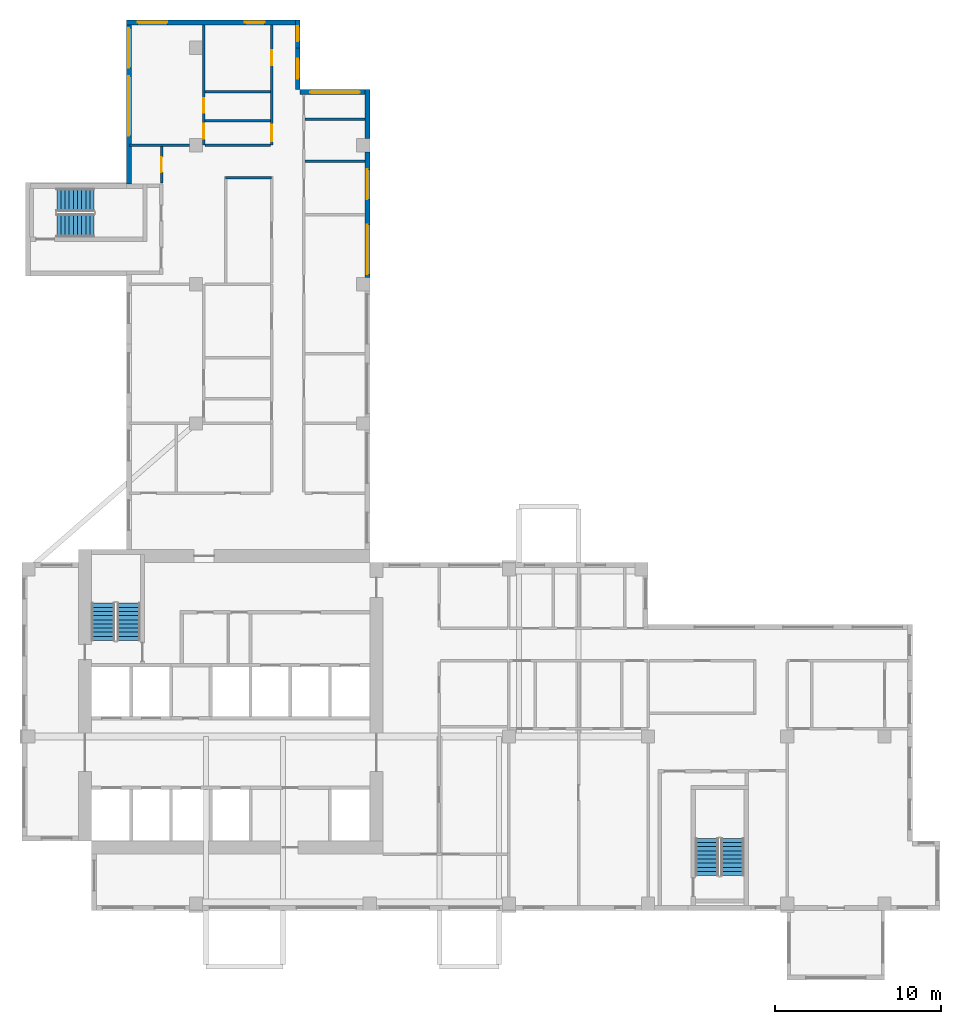
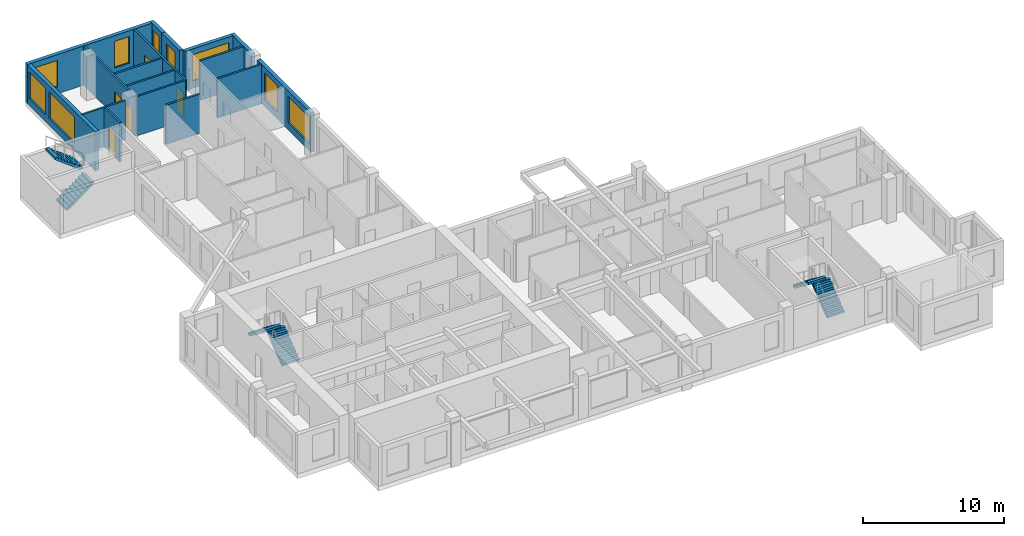
# One storey, part 7 of 11: 17 walls, 9 windows, 6 stair flights, 5 doors, 14 openings, 3 elements without a shape of their own.
"""IFC4 building model written with IfcOpenShell, lengths in metres."""

from ifc_helpers import new_model, si_unit, direction, frame, frame_2d, origin, place, context, subcontext, project, spatial, polyline, rectangle, outline, extrude, source, transform, mapped, material, layer, layer_set, type_object, element, fill, aggregate, save


model = new_model("IFC4")

# Units and contexts
model_context = context("Model", 3, precision=1e-05, world=origin(), true_north=direction((0.0, 1.0)))
body_context = subcontext(model_context, "Body", "Model", "MODEL_VIEW")
ifc_project = project(units=[si_unit("LENGTHUNIT", "METRE"), si_unit("AREAUNIT", "SQUARE_METRE"), si_unit("VOLUMEUNIT", "CUBIC_METRE"), si_unit("PLANEANGLEUNIT", "RADIAN"), si_unit("MASSUNIT", "GRAM", prefix="KILO")], contexts=[model_context])

# Site, building, storey
site_placement = place(None, origin())
site = spatial("IfcSite", under=ifc_project, at=site_placement, CompositionType="ELEMENT")
building_placement = place(site_placement, origin())
building = spatial("IfcBuilding", under=site, at=building_placement, Name="Aurelian Terraces", CompositionType="ELEMENT")
storey_placement = place(building_placement, frame((0.0, 0.0, 227.2)))
storey = spatial("IfcBuildingStorey", under=building, at=storey_placement, Name="L51", CompositionType="ELEMENT", Elevation=227.2)

# Wall, opening, window
ifc_material_1 = material(Name="Terracotta rainscreen cladding", Category="masonry")
ifc_layer_1 = layer(ifc_material_1, 0.3)
ifc_layer_set_1 = layer_set([ifc_layer_1], Name="EW-300")
wall_type_1 = type_object("IfcWallType", Name="EW-300", PredefinedType="STANDARD", material=ifc_layer_set_1)
shared_shape_1 = source(origin(), body_context, "Body", "SweptSolid", [
    extrude(rectangle(XDim=4.2, YDim=0.3, at=frame_2d((2.1, 0.0))), origin(), (0.0, 0.0, 1.0), 3.4),
])
wall_1_placement = place(storey_placement, frame((21.0, 49.41, 0.0), z_axis=(0.0, 0.0, 1.0), x_axis=(-1.0, 0.0, 0.0)))
wall_1 = element("IfcWall", 1, at=wall_1_placement, inside=storey, type_object=wall_type_1, Name="External wall L51 F09.21", PredefinedType="STANDARD", context=body_context, shape_type="MappedRepresentation", body=[
    mapped(shared_shape_1, transform((0.0, 0.0, 0.0), scale=1.0)),
])
shared_shape_2 = source(origin(), body_context, "Body", "SweptSolid", [
    extrude(rectangle(XDim=3.0, YDim=2.3, at=frame_2d((1.5, 1.15))), frame((0.0, 0.16, 0.0), z_axis=(0.0, -1.0, 0.0), x_axis=(1.0, 0.0, 0.0)), (0.0, 0.0, 1.0), 0.32),
])
opening_1_placement = place(wall_1_placement, frame((0.6, 0.0, 0.6)))
opening_1 = element("IfcOpeningElement", 2, at=opening_1_placement, cuts=wall_1, Name="Opening W3023", PredefinedType="OPENING", context=body_context, shape_type="MappedRepresentation", body=[
    mapped(shared_shape_2, transform((0.0, 0.0, 0.0), scale=1.0)),
])
ifc_material_2 = material(Name="Clear glazing", Category="glass")
window_type_1 = type_object("IfcWindowType", Name="W-3000x2300", PartitioningType="SINGLE_PANEL", PredefinedType="WINDOW", material=ifc_material_2)
shared_shape_3 = source(origin(), body_context, "Body", "SweptSolid", [
    extrude(rectangle(XDim=3.0, YDim=2.3, at=frame_2d((1.5, 1.15))), frame((0.0, 0.03, 0.0), z_axis=(0.0, -1.0, 0.0), x_axis=(1.0, 0.0, 0.0)), (0.0, 0.0, 1.0), 0.06),
])
window_1_placement = place(opening_1_placement, origin())
window_1 = element("IfcWindow", 3, at=window_1_placement, inside=storey, type_object=window_type_1, Name="Window L51 L51-F09-21-0", OverallHeight=2.3, OverallWidth=3.0, PartitioningType="SINGLE_PANEL", PredefinedType="WINDOW", context=body_context, shape_type="MappedRepresentation", body=[
    mapped(shared_shape_3, transform((0.0, 0.0, 0.0), scale=1.0)),
])
fill(opening_1, window_1)

shared_shape_4 = source(origin(), body_context, "Body", "SweptSolid", [
    extrude(rectangle(XDim=2.52, YDim=0.3, at=frame_2d((1.26, 0.0))), origin(), (0.0, 0.0, 1.0), 3.4),
])
wall_2_placement = place(storey_placement, frame((16.65, 49.56, 0.0), z_axis=(0.0, 0.0, 1.0), x_axis=(0.0, 1.0, 0.0)))
wall_2 = element("IfcWall", 4, at=wall_2_placement, inside=storey, type_object=wall_type_1, Name="External wall L51 F10.22", PredefinedType="STANDARD", context=body_context, shape_type="MappedRepresentation", body=[
    mapped(shared_shape_4, transform((0.0, 0.0, 0.0), scale=1.0)),
])
shared_shape_5 = source(origin(), body_context, "Body", "SweptSolid", [
    extrude(rectangle(XDim=1.2, YDim=2.3, at=frame_2d((0.6, 1.15))), frame((0.0, 0.16, 0.0), z_axis=(0.0, -1.0, 0.0), x_axis=(1.0, 0.0, 0.0)), (0.0, 0.0, 1.0), 0.32),
])
opening_2_placement = place(wall_2_placement, frame((0.66, 0.0, 0.6)))
opening_2 = element("IfcOpeningElement", 5, at=opening_2_placement, cuts=wall_2, Name="Opening W1223", PredefinedType="OPENING", context=body_context, shape_type="MappedRepresentation", body=[
    mapped(shared_shape_5, transform((0.0, 0.0, 0.0), scale=1.0)),
])
window_type_2 = type_object("IfcWindowType", Name="W-1200x2300", PartitioningType="SINGLE_PANEL", PredefinedType="WINDOW", material=ifc_material_2)
shared_shape_6 = source(origin(), body_context, "Body", "SweptSolid", [
    extrude(rectangle(XDim=1.2, YDim=2.3, at=frame_2d((0.6, 1.15))), frame((0.0, 0.03, 0.0), z_axis=(0.0, -1.0, 0.0), x_axis=(1.0, 0.0, 0.0)), (0.0, 0.0, 1.0), 0.06),
])
window_2_placement = place(opening_2_placement, origin())
window_2 = element("IfcWindow", 6, at=window_2_placement, inside=storey, type_object=window_type_2, Name="Window L51 L51-F10-22-0", OverallHeight=2.3, OverallWidth=1.2, PartitioningType="SINGLE_PANEL", PredefinedType="WINDOW", context=body_context, shape_type="MappedRepresentation", body=[
    mapped(shared_shape_6, transform((0.0, 0.0, 0.0), scale=1.0)),
])
fill(opening_2, window_2)

shared_shape_7 = source(origin(), body_context, "Body", "SweptSolid", [
    extrude(rectangle(XDim=1.68, YDim=0.3, at=frame_2d((0.84, 0.0))), origin(), (0.0, 0.0, 1.0), 3.4),
])
wall_3_placement = place(storey_placement, frame((16.65, 52.08, 0.0), z_axis=(0.0, 0.0, 1.0), x_axis=(0.0, 1.0, 0.0)))
wall_3 = element("IfcWall", 7, at=wall_3_placement, inside=storey, type_object=wall_type_1, Name="External wall L51 F10.23", PredefinedType="STANDARD", context=body_context, shape_type="MappedRepresentation", body=[
    mapped(shared_shape_7, transform((0.0, 0.0, 0.0), scale=1.0)),
])
shared_shape_8 = source(origin(), body_context, "Body", "SweptSolid", [
    extrude(rectangle(XDim=0.9, YDim=2.3, at=frame_2d((0.45, 1.15))), frame((0.0, 0.16, 0.0), z_axis=(0.0, -1.0, 0.0), x_axis=(1.0, 0.0, 0.0)), (0.0, 0.0, 1.0), 0.32),
])
opening_3_placement = place(wall_3_placement, frame((0.39, 0.0, 0.6)))
opening_3 = element("IfcOpeningElement", 8, at=opening_3_placement, cuts=wall_3, Name="Opening W0923", PredefinedType="OPENING", context=body_context, shape_type="MappedRepresentation", body=[
    mapped(shared_shape_8, transform((0.0, 0.0, 0.0), scale=1.0)),
])
window_type_3 = type_object("IfcWindowType", Name="W-900x2300", PartitioningType="SINGLE_PANEL", PredefinedType="WINDOW", material=ifc_material_2)
shared_shape_9 = source(origin(), body_context, "Body", "SweptSolid", [
    extrude(rectangle(XDim=0.9, YDim=2.3, at=frame_2d((0.45, 1.15))), frame((0.0, 0.03, 0.0), z_axis=(0.0, -1.0, 0.0), x_axis=(1.0, 0.0, 0.0)), (0.0, 0.0, 1.0), 0.06),
])
window_3_placement = place(opening_3_placement, origin())
window_3 = element("IfcWindow", 9, at=window_3_placement, inside=storey, type_object=window_type_3, Name="Window L51 L51-F10-23-P0", OverallHeight=2.3, OverallWidth=0.9, PartitioningType="SINGLE_PANEL", PredefinedType="WINDOW", context=body_context, shape_type="MappedRepresentation", body=[
    mapped(shared_shape_9, transform((0.0, 0.0, 0.0), scale=1.0)),
])
fill(opening_3, window_3)

# Wall, openings, windows
shared_shape_10 = source(origin(), body_context, "Body", "SweptSolid", [
    extrude(rectangle(XDim=10.5, YDim=0.3, at=frame_2d((5.25, 0.0))), origin(), (0.0, 0.0, 1.0), 3.4),
])
wall_4_placement = place(storey_placement, frame((16.8, 53.61, 0.0), z_axis=(0.0, 0.0, 1.0), x_axis=(-1.0, 0.0, 0.0)))
wall_4 = element("IfcWall", 10, at=wall_4_placement, inside=storey, type_object=wall_type_1, Name="External wall L51 F11.24", PredefinedType="STANDARD", context=body_context, shape_type="MappedRepresentation", body=[
    mapped(shared_shape_10, transform((0.0, 0.0, 0.0), scale=1.0)),
])
opening_4_placement = place(wall_4_placement, frame((2.15, 0.0, 0.6)))
opening_4 = element("IfcOpeningElement", 11, at=opening_4_placement, cuts=wall_4, Name="Opening W1223", PredefinedType="OPENING", context=body_context, shape_type="MappedRepresentation", body=[
    mapped(shared_shape_5, transform((0.0, 0.0, 0.0), scale=1.0)),
])
shared_shape_11 = source(origin(), body_context, "Body", "SweptSolid", [
    extrude(rectangle(XDim=1.8, YDim=2.3, at=frame_2d((0.9, 1.15))), frame((0.0, 0.16, 0.0), z_axis=(0.0, -1.0, 0.0), x_axis=(1.0, 0.0, 0.0)), (0.0, 0.0, 1.0), 0.32),
])
opening_5_placement = place(wall_4_placement, frame((8.025, 0.0, 0.6)))
opening_5 = element("IfcOpeningElement", 12, at=opening_5_placement, cuts=wall_4, Name="Opening W1823", PredefinedType="OPENING", context=body_context, shape_type="MappedRepresentation", body=[
    mapped(shared_shape_11, transform((0.0, 0.0, 0.0), scale=1.0)),
])
window_4_placement = place(opening_4_placement, origin())
window_4 = element("IfcWindow", 13, at=window_4_placement, inside=storey, type_object=window_type_2, Name="Window L51 L51-F11-24-0", OverallHeight=2.3, OverallWidth=1.2, PartitioningType="SINGLE_PANEL", PredefinedType="WINDOW", context=body_context, shape_type="MappedRepresentation", body=[
    mapped(shared_shape_6, transform((0.0, 0.0, 0.0), scale=1.0)),
])
fill(opening_4, window_4)
window_type_4 = type_object("IfcWindowType", Name="W-1800x2300", PartitioningType="SINGLE_PANEL", PredefinedType="WINDOW", material=ifc_material_2)
shared_shape_12 = source(origin(), body_context, "Body", "SweptSolid", [
    extrude(rectangle(XDim=1.8, YDim=2.3, at=frame_2d((0.9, 1.15))), frame((0.0, 0.03, 0.0), z_axis=(0.0, -1.0, 0.0), x_axis=(1.0, 0.0, 0.0)), (0.0, 0.0, 1.0), 0.06),
])
window_5_placement = place(opening_5_placement, origin())
window_5 = element("IfcWindow", 14, at=window_5_placement, inside=storey, type_object=window_type_4, Name="Window L51 L51-F11-24-2", OverallHeight=2.3, OverallWidth=1.8, PartitioningType="SINGLE_PANEL", PredefinedType="WINDOW", context=body_context, shape_type="MappedRepresentation", body=[
    mapped(shared_shape_12, transform((0.0, 0.0, 0.0), scale=1.0)),
])
fill(opening_5, window_5)

shared_shape_13 = source(origin(), body_context, "Body", "SweptSolid", [
    extrude(rectangle(XDim=9.91, YDim=0.3, at=frame_2d((4.955, 0.0))), origin(), (0.0, 0.0, 1.0), 3.4),
])
wall_5_placement = place(storey_placement, frame((6.45, 53.76, 0.0), z_axis=(0.0, 0.0, 1.0), x_axis=(0.0, -1.0, 0.0)))
wall_5 = element("IfcWall", 15, at=wall_5_placement, inside=storey, type_object=wall_type_1, Name="External wall L51 F12.25", PredefinedType="STANDARD", context=body_context, shape_type="MappedRepresentation", body=[
    mapped(shared_shape_13, transform((0.0, 0.0, 0.0), scale=1.0)),
])
shared_shape_14 = source(origin(), body_context, "Body", "SweptSolid", [
    extrude(rectangle(XDim=3.6, YDim=2.3, at=frame_2d((1.8, 1.15))), frame((0.0, 0.16, 0.0), z_axis=(0.0, -1.0, 0.0), x_axis=(1.0, 0.0, 0.0)), (0.0, 0.0, 1.0), 0.32),
])
opening_6_placement = place(wall_5_placement, frame((3.39, 0.0, 0.6)))
opening_6 = element("IfcOpeningElement", 16, at=opening_6_placement, cuts=wall_5, Name="Opening W3623", PredefinedType="OPENING", context=body_context, shape_type="MappedRepresentation", body=[
    mapped(shared_shape_14, transform((0.0, 0.0, 0.0), scale=1.0)),
])
shared_shape_15 = source(origin(), body_context, "Body", "SweptSolid", [
    extrude(rectangle(XDim=2.4, YDim=2.3, at=frame_2d((1.2, 1.15))), frame((0.0, 0.16, 0.0), z_axis=(0.0, -1.0, 0.0), x_axis=(1.0, 0.0, 0.0)), (0.0, 0.0, 1.0), 0.32),
])
opening_7_placement = place(wall_5_placement, frame((0.495, 0.0, 0.6)))
opening_7 = element("IfcOpeningElement", 17, at=opening_7_placement, cuts=wall_5, Name="Opening W2423", PredefinedType="OPENING", context=body_context, shape_type="MappedRepresentation", body=[
    mapped(shared_shape_15, transform((0.0, 0.0, 0.0), scale=1.0)),
])
window_type_5 = type_object("IfcWindowType", Name="W-3600x2300", PartitioningType="SINGLE_PANEL", PredefinedType="WINDOW", material=ifc_material_2)
shared_shape_16 = source(origin(), body_context, "Body", "SweptSolid", [
    extrude(rectangle(XDim=3.6, YDim=2.3, at=frame_2d((1.8, 1.15))), frame((0.0, 0.03, 0.0), z_axis=(0.0, -1.0, 0.0), x_axis=(1.0, 0.0, 0.0)), (0.0, 0.0, 1.0), 0.06),
])
window_6_placement = place(opening_6_placement, origin())
window_6 = element("IfcWindow", 18, at=window_6_placement, inside=storey, type_object=window_type_5, Name="Window L51 L51-F12-25-1", OverallHeight=2.3, OverallWidth=3.6, PartitioningType="SINGLE_PANEL", PredefinedType="WINDOW", context=body_context, shape_type="MappedRepresentation", body=[
    mapped(shared_shape_16, transform((0.0, 0.0, 0.0), scale=1.0)),
])
fill(opening_6, window_6)
window_type_6 = type_object("IfcWindowType", Name="W-2400x2300", PartitioningType="SINGLE_PANEL", PredefinedType="WINDOW", material=ifc_material_2)
shared_shape_17 = source(origin(), body_context, "Body", "SweptSolid", [
    extrude(rectangle(XDim=2.4, YDim=2.3, at=frame_2d((1.2, 1.15))), frame((0.0, 0.03, 0.0), z_axis=(0.0, -1.0, 0.0), x_axis=(1.0, 0.0, 0.0)), (0.0, 0.0, 1.0), 0.06),
])
window_7_placement = place(opening_7_placement, origin())
window_7 = element("IfcWindow", 19, at=window_7_placement, inside=storey, type_object=window_type_6, Name="Window L51 L51-F12-25-G0-0", OverallHeight=2.3, OverallWidth=2.4, PartitioningType="SINGLE_PANEL", PredefinedType="WINDOW", context=body_context, shape_type="MappedRepresentation", body=[
    mapped(shared_shape_17, transform((0.0, 0.0, 0.0), scale=1.0)),
])
fill(opening_7, window_7)

shared_shape_18 = source(origin(), body_context, "Body", "SweptSolid", [
    extrude(rectangle(XDim=7.6, YDim=0.3, at=frame_2d((3.8, 0.0))), origin(), (0.0, 0.0, 1.0), 3.4),
])
wall_6_placement = place(storey_placement, frame((20.85, 38.2, 0.0), z_axis=(0.0, 0.0, 1.0), x_axis=(0.0, 1.0, 0.0)))
wall_6 = element("IfcWall", 20, at=wall_6_placement, inside=storey, type_object=wall_type_1, Name="External wall L51 F08.19", PredefinedType="STANDARD", context=body_context, shape_type="MappedRepresentation", body=[
    mapped(shared_shape_18, transform((0.0, 0.0, 0.0), scale=1.0)),
])
opening_8_placement = place(wall_6_placement, frame((0.2, 0.0, 0.6)))
opening_8 = element("IfcOpeningElement", 21, at=opening_8_placement, cuts=wall_6, Name="Opening W3023", PredefinedType="OPENING", context=body_context, shape_type="MappedRepresentation", body=[
    mapped(shared_shape_2, transform((0.0, 0.0, 0.0), scale=1.0)),
])
opening_9_placement = place(wall_6_placement, frame((4.7345, 0.0, 0.6)))
opening_9 = element("IfcOpeningElement", 22, at=opening_9_placement, cuts=wall_6, Name="Opening W1823", PredefinedType="OPENING", context=body_context, shape_type="MappedRepresentation", body=[
    mapped(shared_shape_11, transform((0.0, 0.0, 0.0), scale=1.0)),
])
window_8_placement = place(opening_8_placement, origin())
window_8 = element("IfcWindow", 23, at=window_8_placement, inside=storey, type_object=window_type_1, Name="Window L51 L51-F08-19-0", OverallHeight=2.3, OverallWidth=3.0, PartitioningType="SINGLE_PANEL", PredefinedType="WINDOW", context=body_context, shape_type="MappedRepresentation", body=[
    mapped(shared_shape_3, transform((0.0, 0.0, 0.0), scale=1.0)),
])
fill(opening_8, window_8)
window_9_placement = place(opening_9_placement, origin())
window_9 = element("IfcWindow", 24, at=window_9_placement, inside=storey, type_object=window_type_4, Name="Window L51 L51-F08-19-1", OverallHeight=2.3, OverallWidth=1.8, PartitioningType="SINGLE_PANEL", PredefinedType="WINDOW", context=body_context, shape_type="MappedRepresentation", body=[
    mapped(shared_shape_12, transform((0.0, 0.0, 0.0), scale=1.0)),
])
fill(opening_9, window_9)

# Walls
shared_shape_19 = source(origin(), body_context, "Body", "SweptSolid", [
    extrude(rectangle(XDim=2.96, YDim=0.3, at=frame_2d((1.48, 0.0))), origin(), (0.0, 0.0, 1.0), 3.4),
])
wall_7_placement = place(storey_placement, frame((20.85, 46.6, 0.0), z_axis=(0.0, 0.0, 1.0), x_axis=(0.0, 1.0, 0.0)))
element("IfcWall", 25, at=wall_7_placement, inside=storey, type_object=wall_type_1, Name="External wall L51 F08.20", PredefinedType="STANDARD", context=body_context, shape_type="MappedRepresentation", body=[
    mapped(shared_shape_19, transform((0.0, 0.0, 0.0), scale=1.0)),
])
ifc_material_3 = material(Name="Gypsum board on steel studs", Category="steel")
ifc_layer_2 = layer(ifc_material_3, 0.15)
ifc_layer_set_2 = layer_set([ifc_layer_2], Name="Partition 150")
wall_type_2 = type_object("IfcWallType", Name="Partition 150", PredefinedType="PARTITIONING", material=ifc_layer_set_2)
shared_shape_20 = source(origin(), body_context, "Body", "SweptSolid", [
    extrude(rectangle(XDim=3.6, YDim=0.15, at=frame_2d((1.8, 0.0))), origin(), (0.0, 0.0, 1.0), 3.4),
])
for number, where, z_axis, x_axis, name in (
    (26, (17.1, 45.2436, 0.0), (0.0, 0.0, 1.0), (1.0, 0.0, 0.0), "Partition"),
    (27, (17.1, 47.7786, 0.0), (0.0, 0.0, 1.0), (1.0, 0.0, 0.0), "Partition"),
):
    element("IfcWall", number, at=place(storey_placement, frame(where, z_axis=z_axis, x_axis=x_axis)), inside=storey, type_object=wall_type_2, Name=name, PredefinedType="PARTITIONING", context=body_context, shape_type="MappedRepresentation", body=[
        mapped(shared_shape_20, transform((0.0, 0.0, 0.0), scale=1.0)),
    ])

# Wall, opening, door
shared_shape_21 = source(origin(), body_context, "Body", "SweptSolid", [
    extrude(rectangle(XDim=2.2, YDim=0.15, at=frame_2d((1.1, 0.0))), origin(), (0.0, 0.0, 1.0), 3.4),
])
wall_8_placement = place(storey_placement, frame((8.425, 43.925, 0.0), z_axis=(0.0, 0.0, 1.0), x_axis=(0.0, 1.0, 0.0)))
wall_8 = element("IfcWall", 28, at=wall_8_placement, inside=storey, type_object=wall_type_2, Name="Partition", PredefinedType="PARTITIONING", context=body_context, shape_type="MappedRepresentation", body=[
    mapped(shared_shape_21, transform((0.0, 0.0, 0.0), scale=1.0)),
])
shared_shape_22 = source(origin(), body_context, "Body", "SweptSolid", [
    extrude(rectangle(XDim=0.9, YDim=2.1, at=frame_2d((0.45, 1.05))), frame((0.0, 0.085, 0.0), z_axis=(0.0, -1.0, 0.0), x_axis=(1.0, 0.0, 0.0)), (0.0, 0.0, 1.0), 0.17),
])
opening_10_placement = place(wall_8_placement, frame((0.65, 0.0, 0.0)))
opening_10 = element("IfcOpeningElement", 29, at=opening_10_placement, cuts=wall_8, Name="Opening 751025", PredefinedType="OPENING", context=body_context, shape_type="MappedRepresentation", body=[
    mapped(shared_shape_22, transform((0.0, 0.0, 0.0), scale=1.0)),
])
ifc_material_4 = material(Name="Timber door leaf", Category="wood")
door_type_1 = type_object("IfcDoorType", Name="Room door 900x2100 left", OperationType="SINGLE_SWING_LEFT", PredefinedType="DOOR", material=ifc_material_4)
shared_shape_23 = source(origin(), body_context, "Body", "SweptSolid", [
    extrude(rectangle(XDim=0.9, YDim=2.1, at=frame_2d((0.45, 1.05))), frame((0.0, 0.025, 0.0), z_axis=(0.0, -1.0, 0.0), x_axis=(1.0, 0.0, 0.0)), (0.0, 0.0, 1.0), 0.05),
])
door_1_placement = place(opening_10_placement, origin())
door_1 = element("IfcDoor", 30, at=door_1_placement, inside=storey, type_object=door_type_1, Name="Door 751025", OperationType="SINGLE_SWING_LEFT", OverallHeight=2.1, OverallWidth=0.9, PredefinedType="DOOR", context=body_context, shape_type="MappedRepresentation", body=[
    mapped(shared_shape_23, transform((0.0, 0.0, 0.0), scale=1.0)),
])
fill(opening_10, door_1)

# Wall, openings, doors
shared_shape_24 = source(origin(), body_context, "Body", "SweptSolid", [
    extrude(rectangle(XDim=7.26, YDim=0.15, at=frame_2d((3.63, 0.0))), origin(), (0.0, 0.0, 1.0), 3.4),
])
wall_9_placement = place(storey_placement, frame((10.975, 46.2, 0.0), z_axis=(0.0, 0.0, 1.0), x_axis=(0.0, 1.0, 0.0)))
wall_9 = element("IfcWall", 31, at=wall_9_placement, inside=storey, type_object=wall_type_2, Name="Partition", PredefinedType="PARTITIONING", context=body_context, shape_type="MappedRepresentation", body=[
    mapped(shared_shape_24, transform((0.0, 0.0, 0.0), scale=1.0)),
])
opening_11_placement = place(wall_9_placement, frame((0.405, 0.0, 0.0)))
opening_11 = element("IfcOpeningElement", 32, at=opening_11_placement, cuts=wall_9, Name="Opening 751031", PredefinedType="OPENING", context=body_context, shape_type="MappedRepresentation", body=[
    mapped(shared_shape_22, transform((0.0, 0.0, 0.0), scale=1.0)),
])
opening_12_placement = place(wall_9_placement, frame((1.9502, 0.0, 0.0)))
opening_12 = element("IfcOpeningElement", 33, at=opening_12_placement, cuts=wall_9, Name="Opening 751032", PredefinedType="OPENING", context=body_context, shape_type="MappedRepresentation", body=[
    mapped(shared_shape_22, transform((0.0, 0.0, 0.0), scale=1.0)),
])
door_2_placement = place(opening_11_placement, origin())
door_2 = element("IfcDoor", 34, at=door_2_placement, inside=storey, type_object=door_type_1, Name="Door 751031", OperationType="SINGLE_SWING_LEFT", OverallHeight=2.1, OverallWidth=0.9, PredefinedType="DOOR", context=body_context, shape_type="MappedRepresentation", body=[
    mapped(shared_shape_23, transform((0.0, 0.0, 0.0), scale=1.0)),
])
fill(opening_11, door_2)
door_type_2 = type_object("IfcDoorType", Name="Room door 900x2100 right", OperationType="SINGLE_SWING_RIGHT", PredefinedType="DOOR", material=ifc_material_4)
door_3_placement = place(opening_12_placement, origin())
door_3 = element("IfcDoor", 35, at=door_3_placement, inside=storey, type_object=door_type_2, Name="Door 751032", OperationType="SINGLE_SWING_RIGHT", OverallHeight=2.1, OverallWidth=0.9, PredefinedType="DOOR", context=body_context, shape_type="MappedRepresentation", body=[
    mapped(shared_shape_23, transform((0.0, 0.0, 0.0), scale=1.0)),
])
fill(opening_12, door_3)

ifc_layer_3 = layer(ifc_material_3, 0.15)
ifc_layer_set_3 = layer_set([ifc_layer_3], Name="Fire partition 150")
wall_type_3 = type_object("IfcWallType", Name="Fire partition 150", PredefinedType="PARTITIONING", material=ifc_layer_set_3)
wall_10_placement = place(storey_placement, frame((15.075, 46.2, 0.0), z_axis=(0.0, 0.0, 1.0), x_axis=(0.0, 1.0, 0.0)))
wall_10 = element("IfcWall", 36, at=wall_10_placement, inside=storey, type_object=wall_type_3, Name="Corridor wall", PredefinedType="PARTITIONING", context=body_context, shape_type="MappedRepresentation", body=[
    mapped(shared_shape_24, transform((0.0, 0.0, 0.0), scale=1.0)),
])
shared_shape_25 = source(origin(), body_context, "Body", "SweptSolid", [
    extrude(rectangle(XDim=1.0, YDim=2.1, at=frame_2d((0.5, 1.05))), frame((0.0, 0.085, 0.0), z_axis=(0.0, -1.0, 0.0), x_axis=(1.0, 0.0, 0.0)), (0.0, 0.0, 1.0), 0.17),
])
opening_13_placement = place(wall_10_placement, frame((0.2423, 0.0, 0.0)))
opening_13 = element("IfcOpeningElement", 37, at=opening_13_placement, cuts=wall_10, Name="Opening 751030", PredefinedType="OPENING", context=body_context, shape_type="MappedRepresentation", body=[
    mapped(shared_shape_25, transform((0.0, 0.0, 0.0), scale=1.0)),
])
opening_14_placement = place(wall_10_placement, frame((4.8255, 0.0, 0.0)))
opening_14 = element("IfcOpeningElement", 38, at=opening_14_placement, cuts=wall_10, Name="Opening 751033", PredefinedType="OPENING", context=body_context, shape_type="MappedRepresentation", body=[
    mapped(shared_shape_22, transform((0.0, 0.0, 0.0), scale=1.0)),
])
ifc_material_5 = material(Name="Steel door leaf", Category="steel")
door_type_3 = type_object("IfcDoorType", Name="Entrance fire door 1000x2100 right", OperationType="SINGLE_SWING_RIGHT", PredefinedType="DOOR", material=ifc_material_5)
shared_shape_26 = source(origin(), body_context, "Body", "SweptSolid", [
    extrude(rectangle(XDim=1.0, YDim=2.1, at=frame_2d((0.5, 1.05))), frame((0.0, 0.025, 0.0), z_axis=(0.0, -1.0, 0.0), x_axis=(1.0, 0.0, 0.0)), (0.0, 0.0, 1.0), 0.05),
])
door_4_placement = place(opening_13_placement, origin())
door_4 = element("IfcDoor", 39, at=door_4_placement, inside=storey, type_object=door_type_3, Name="Door 751030", OperationType="SINGLE_SWING_RIGHT", OverallHeight=2.1, OverallWidth=1.0, PredefinedType="DOOR", context=body_context, shape_type="MappedRepresentation", body=[
    mapped(shared_shape_26, transform((0.0, 0.0, 0.0), scale=1.0)),
])
fill(opening_13, door_4)
door_type_4 = type_object("IfcDoorType", Name="Entrance fire door 900x2100 left", OperationType="SINGLE_SWING_LEFT", PredefinedType="DOOR", material=ifc_material_5)
door_5_placement = place(opening_14_placement, origin())
door_5 = element("IfcDoor", 40, at=door_5_placement, inside=storey, type_object=door_type_4, Name="Door 751033", OperationType="SINGLE_SWING_LEFT", OverallHeight=2.1, OverallWidth=0.9, PredefinedType="DOOR", context=body_context, shape_type="MappedRepresentation", body=[
    mapped(shared_shape_23, transform((0.0, 0.0, 0.0), scale=1.0)),
])
fill(opening_14, door_5)

# Walls
shared_shape_27 = source(origin(), body_context, "Body", "SweptSolid", [
    extrude(rectangle(XDim=2.775, YDim=0.15, at=frame_2d((1.3875, 0.0))), origin(), (0.0, 0.0, 1.0), 3.4),
])
wall_11_placement = place(storey_placement, frame((15.075, 44.25, 0.0), z_axis=(0.0, 0.0, 1.0), x_axis=(-1.0, 0.0, 0.0)))
element("IfcWall", 41, at=wall_11_placement, inside=storey, type_object=wall_type_2, Name="Partition", PredefinedType="PARTITIONING", context=body_context, shape_type="MappedRepresentation", body=[
    mapped(shared_shape_27, transform((0.0, 0.0, 0.0), scale=1.0)),
])
shared_shape_28 = source(origin(), body_context, "Body", "SweptSolid", [
    extrude(rectangle(XDim=3.95, YDim=0.15, at=frame_2d((1.975, 0.0))), origin(), (0.0, 0.0, 1.0), 3.4),
])
for number, where, z_axis, x_axis, name in (
    (42, (15.0, 47.6845, 0.0), (0.0, 0.0, 1.0), (-1.0, 0.0, 0.0), "Partition"),
    (43, (15.0, 49.4159, 0.0), (0.0, 0.0, 1.0), (-1.0, 0.0, 0.0), "Partition"),
):
    element("IfcWall", number, at=place(storey_placement, frame(where, z_axis=z_axis, x_axis=x_axis)), inside=storey, type_object=wall_type_2, Name=name, PredefinedType="PARTITIONING", context=body_context, shape_type="MappedRepresentation", body=[
        mapped(shared_shape_28, transform((0.0, 0.0, 0.0), scale=1.0)),
    ])
wall_12_placement = place(storey_placement, frame((15.0, 46.2, 0.0), z_axis=(0.0, 0.0, 1.0), x_axis=(-1.0, 0.0, 0.0)))
element("IfcWall", 44, at=wall_12_placement, inside=storey, type_object=wall_type_3, Name="Party wall", PredefinedType="PARTITIONING", context=body_context, shape_type="MappedRepresentation", body=[
    mapped(shared_shape_28, transform((0.0, 0.0, 0.0), scale=1.0)),
])
shared_shape_29 = source(origin(), body_context, "Body", "SweptSolid", [
    extrude(rectangle(XDim=3.596, YDim=0.15, at=frame_2d((1.798, 0.0))), origin(), (0.0, 0.0, 1.0), 3.4),
])
wall_13_placement = place(storey_placement, frame((10.101, 46.2, 0.0), z_axis=(0.0, 0.0, 1.0), x_axis=(-1.0, 0.0, 0.0)))
element("IfcWall", 45, at=wall_13_placement, inside=storey, type_object=wall_type_3, Name="Party wall", PredefinedType="PARTITIONING", context=body_context, shape_type="MappedRepresentation", body=[
    mapped(shared_shape_29, transform((0.0, 0.0, 0.0), scale=1.0)),
])

# Stair, stair flights
ifc_material_6 = material(Name="Concrete fc' 40 MPa", Category="concrete")
stair_type = type_object("IfcStairType", Name="Stair 1400", PredefinedType="HALF_TURN_STAIR", material=ifc_material_6)
stair_1_placement = place(storey_placement, origin())
stair_1 = element("IfcStair", 46, at=stair_1_placement, inside=storey, type_object=stair_type, Name="L51 S1", PredefinedType="HALF_TURN_STAIR")
stair_flight_type = type_object("IfcStairFlightType", Name="Stair flight 1400", PredefinedType="STRAIGHT", material=ifc_material_6)
shared_shape_30 = source(origin(), body_context, "Body", "SweptSolid", [
    extrude(outline(polyline([(0.0, 0.0), (0.0, 0.19), (0.25, 0.19), (0.25, 0.38), (0.5, 0.38), (0.5, 0.57), (0.75, 0.57), (0.75, 0.76), (1.0, 0.76), (1.0, 0.95), (1.25, 0.95), (1.25, 1.14), (1.5, 1.14), (1.5, 1.33), (1.75, 1.33), (1.75, 1.52), (2.0, 1.52), (2.0, 1.71), (2.25, 1.71), (2.25, 1.9), (2.25, 1.5216), (0.2479, 0.0), (0.0, 0.0)])), frame((0.0, 0.7, 0.0), z_axis=(0.0, -1.0, 0.0), x_axis=(1.0, 0.0, 0.0)), (0.0, 0.0, 1.0), 1.4),
])
stair_flight_1_placement = place(storey_placement, frame((6.45, 16.3, 2e-08), z_axis=(0.0, 0.0, 1.0), x_axis=(0.0, 1.0, 0.0)))
stair_flight_1 = element("IfcStairFlight", 47, at=stair_flight_1_placement, type_object=stair_flight_type, Name="S1 flight 1", NumberOfRisers=10, NumberOfTreads=9, PredefinedType="STRAIGHT", RiserHeight=0.19, TreadLength=0.25, context=body_context, shape_type="MappedRepresentation", body=[
    mapped(shared_shape_30, transform((0.0, 0.0, 0.0), scale=1.0)),
])
stair_flight_2_placement = place(storey_placement, frame((4.9, 18.55, 1.9000000200000058), z_axis=(0.0, 0.0, 1.0), x_axis=(0.0, -1.0, 0.0)))
stair_flight_2 = element("IfcStairFlight", 48, at=stair_flight_2_placement, type_object=stair_flight_type, Name="S1 flight 2", NumberOfRisers=10, NumberOfTreads=9, PredefinedType="STRAIGHT", RiserHeight=0.19, TreadLength=0.25, context=body_context, shape_type="MappedRepresentation", body=[
    mapped(shared_shape_30, transform((0.0, 0.0, 0.0), scale=1.0)),
])
aggregate(stair_1, [stair_flight_1, stair_flight_2])

stair_2_placement = place(storey_placement, origin())
stair_2 = element("IfcStair", 49, at=stair_2_placement, inside=storey, type_object=stair_type, Name="L51 S2", PredefinedType="HALF_TURN_STAIR")
stair_flight_3_placement = place(storey_placement, frame((42.9, 2.1, 2e-08), z_axis=(0.0, 0.0, 1.0), x_axis=(0.0, 1.0, 0.0)))
stair_flight_3 = element("IfcStairFlight", 50, at=stair_flight_3_placement, type_object=stair_flight_type, Name="S2 flight 1", NumberOfRisers=10, NumberOfTreads=9, PredefinedType="STRAIGHT", RiserHeight=0.19, TreadLength=0.25, context=body_context, shape_type="MappedRepresentation", body=[
    mapped(shared_shape_30, transform((0.0, 0.0, 0.0), scale=1.0)),
])
stair_flight_4_placement = place(storey_placement, frame((41.35, 4.35, 1.9000000200000058), z_axis=(0.0, 0.0, 1.0), x_axis=(0.0, -1.0, 0.0)))
stair_flight_4 = element("IfcStairFlight", 51, at=stair_flight_4_placement, type_object=stair_flight_type, Name="S2 flight 2", NumberOfRisers=10, NumberOfTreads=9, PredefinedType="STRAIGHT", RiserHeight=0.19, TreadLength=0.25, context=body_context, shape_type="MappedRepresentation", body=[
    mapped(shared_shape_30, transform((0.0, 0.0, 0.0), scale=1.0)),
])
aggregate(stair_2, [stair_flight_3, stair_flight_4])

stair_3_placement = place(storey_placement, origin())
stair_3 = element("IfcStair", 52, at=stair_3_placement, inside=storey, type_object=stair_type, Name="L51 S3", PredefinedType="HALF_TURN_STAIR")
stair_flight_5_placement = place(storey_placement, frame((2.1, 41.35, 2e-08), z_axis=(0.0, 0.0, 1.0), x_axis=(1.0, 0.0, 0.0)))
stair_flight_5 = element("IfcStairFlight", 53, at=stair_flight_5_placement, type_object=stair_flight_type, Name="S3 flight 1", NumberOfRisers=10, NumberOfTreads=9, PredefinedType="STRAIGHT", RiserHeight=0.19, TreadLength=0.25, context=body_context, shape_type="MappedRepresentation", body=[
    mapped(shared_shape_30, transform((0.0, 0.0, 0.0), scale=1.0)),
])
stair_flight_6_placement = place(storey_placement, frame((4.35, 42.9, 1.9000000200000058), z_axis=(0.0, 0.0, 1.0), x_axis=(-1.0, 0.0, 0.0)))
stair_flight_6 = element("IfcStairFlight", 54, at=stair_flight_6_placement, type_object=stair_flight_type, Name="S3 flight 2", NumberOfRisers=10, NumberOfTreads=9, PredefinedType="STRAIGHT", RiserHeight=0.19, TreadLength=0.25, context=body_context, shape_type="MappedRepresentation", body=[
    mapped(shared_shape_30, transform((0.0, 0.0, 0.0), scale=1.0)),
])
aggregate(stair_3, [stair_flight_5, stair_flight_6])

save(model, "model.ifc")
